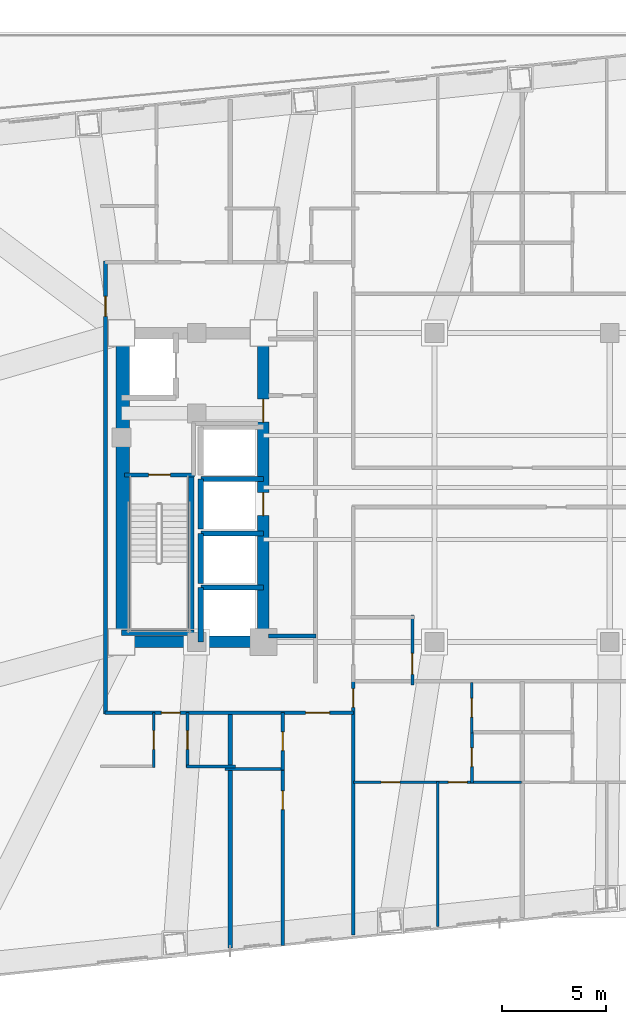
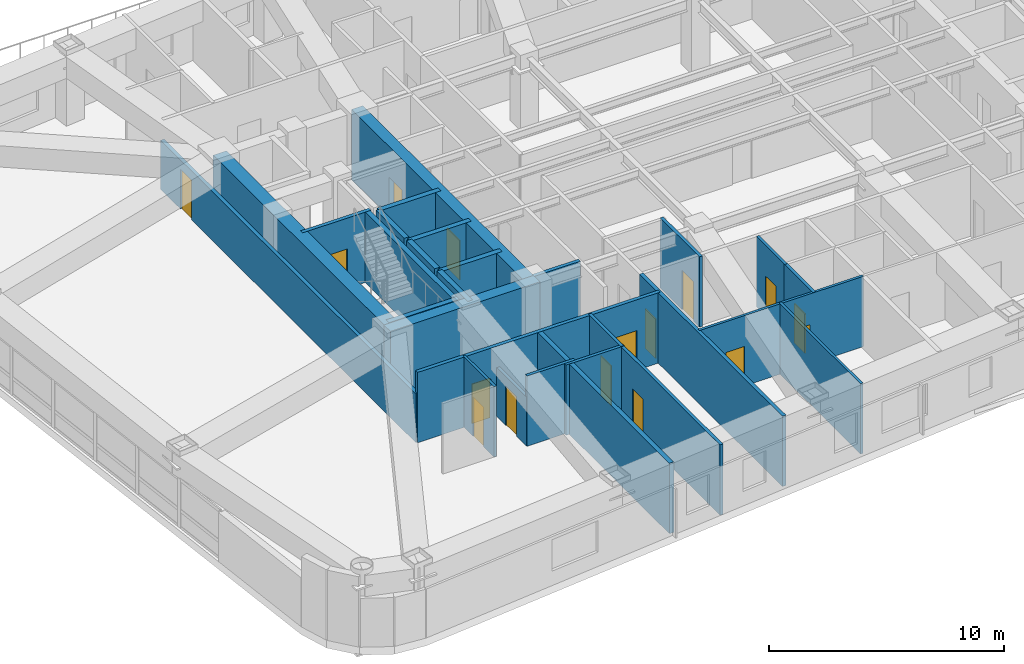
# One storey, part 7 of 15: 28 walls, 16 doors, 16 openings.
"""IFC4 building model written with IfcOpenShell, lengths in metres."""

from ifc_helpers import new_model, si_unit, direction, frame, frame_2d, origin, place, context, subcontext, project, spatial, rectangle, extrude, material, layer, layer_set, type_object, element, fill, save


model = new_model("IFC4")

# Units and contexts
model_context = context("Model", 3, precision=1e-05, world=origin(), true_north=direction((0.0, 1.0)))
body_context = subcontext(model_context, "Body", "Model", "MODEL_VIEW")
ifc_project = project(units=[si_unit("LENGTHUNIT", "METRE"), si_unit("AREAUNIT", "SQUARE_METRE"), si_unit("VOLUMEUNIT", "CUBIC_METRE"), si_unit("PLANEANGLEUNIT", "RADIAN"), si_unit("MASSUNIT", "GRAM", prefix="KILO")], contexts=[model_context])

# Site, building, storey
site_placement = place(None, origin())
site = spatial("IfcSite", under=ifc_project, at=site_placement, CompositionType="ELEMENT")
building_placement = place(site_placement, origin())
building = spatial("IfcBuilding", under=site, at=building_placement, Name="Voryun Gate Residences", CompositionType="ELEMENT")
storey_placement = place(building_placement, frame((0.0, 0.0, 140.39990234375)))
storey = spatial("IfcBuildingStorey", under=building, at=storey_placement, Name="L34", CompositionType="ELEMENT", Elevation=140.39990234375)

# Wall
ifc_material_1 = material(Name="Concrete C60/75", Category="concrete")
ifc_layer_1 = layer(ifc_material_1, 0.550048828125, Name="CW_CORE_550")
ifc_layer_set_1 = layer_set([ifc_layer_1], Name="Concrete C60/75")
wall_type_1 = type_object("IfcWallType", Name="CW_CORE_550", PredefinedType="SHEAR", material=ifc_layer_set_1)
wall_1_placement = place(storey_placement, frame((-19.47509765625, -7.39990234375, 0.0), z_axis=(0.0, 0.0, 1.0), x_axis=(1.0, 0.0, 0.0)))
element("IfcWall", 1, at=wall_1_placement, inside=storey, type_object=wall_type_1, Name="L34 Core shear wall CW-L34-WS", PredefinedType="SHEAR", context=body_context, shape_type="SweptSolid", body=[
    extrude(rectangle(XDim=7.35009765625, YDim=0.550048828125, at=frame_2d((3.675048828125, 0.0))), origin(), (0.0, 0.0, 1.0), 3.650146484375),
])

# Wall, openings, doors
wall_2_placement = place(storey_placement, frame((-12.39990234375, -7.39990234375, 0.0), z_axis=(0.0, 0.0, 1.0), x_axis=(0.0, 1.0, 0.0)))
wall_2 = element("IfcWall", 2, at=wall_2_placement, inside=storey, type_object=wall_type_1, Name="L34 Core shear wall CW-L34-WE", PredefinedType="SHEAR", context=body_context, shape_type="SweptSolid", body=[
    extrude(rectangle(XDim=14.7998046875, YDim=0.550048828125, at=frame_2d((7.39990234375, 0.0))), origin(), (0.0, 0.0, 1.0), 3.650146484375),
])
opening_1_placement = place(wall_2_placement, frame((6.050048828125, 0.0, 0.0)))
opening_1 = element("IfcOpeningElement", 3, at=opening_1_placement, cuts=wall_2, Name="Opening LD2", PredefinedType="OPENING", context=body_context, shape_type="SweptSolid", body=[
    extrude(rectangle(XDim=1.10009765625, YDim=2.050048828125, at=frame_2d((0.550048828125, 1.02490234375))), frame((0.0, 0.284912109375, 0.0), z_axis=(0.0, -1.0, 0.0), x_axis=(1.0, 0.0, 0.0)), (0.0, 0.0, 1.0), 0.570068359375),
])
opening_2_placement = place(wall_2_placement, frame((10.530029296875, 0.0, 0.0)))
opening_2 = element("IfcOpeningElement", 4, at=opening_2_placement, cuts=wall_2, Name="Opening D-FD60-2", PredefinedType="OPENING", context=body_context, shape_type="SweptSolid", body=[
    extrude(rectangle(XDim=1.10009765625, YDim=2.050048828125, at=frame_2d((0.550048828125, 1.02490234375))), frame((0.0, 0.284912109375, 0.0), z_axis=(0.0, -1.0, 0.0), x_axis=(1.0, 0.0, 0.0)), (0.0, 0.0, 1.0), 0.570068359375),
])
ifc_material_2 = material(Name="Painted steel fire door", Category="steel")
door_type_1 = type_object("IfcDoorType", Name="DR_FD60_FFLOB_1100", OperationType="NOTDEFINED", PredefinedType="DOOR", material=ifc_material_2)
door_1_placement = place(opening_2_placement, origin())
door_1 = element("IfcDoor", 5, at=door_1_placement, inside=storey, type_object=door_type_1, Name="Door DR-L34-CLOB-W", OperationType="SINGLE_SWING_LEFT", OverallHeight=2.050048828125, OverallWidth=1.10009765625, PredefinedType="DOOR", context=body_context, shape_type="SweptSolid", body=[
    extrude(rectangle(XDim=1.10009765625, YDim=2.050048828125, at=frame_2d((0.550048828125, 1.02490234375))), frame((0.0, 0.02490234375, 0.0), z_axis=(0.0, -1.0, 0.0), x_axis=(1.0, 0.0, 0.0)), (0.0, 0.0, 1.0), 0.050048828125),
])
fill(opening_2, door_1)
ifc_material_3 = material(Name="Anodised aluminium", Category="aluminium")
door_type_2 = type_object("IfcDoorType", Name="DR_LD_PASS_1100", OperationType="NOTDEFINED", PredefinedType="DOOR", material=ifc_material_3)
door_2_placement = place(opening_1_placement, origin())
door_2 = element("IfcDoor", 6, at=door_2_placement, inside=storey, type_object=door_type_2, Name="Lift EL-P4 sliding landing door L34", OperationType="SLIDING_TO_LEFT", OverallHeight=2.050048828125, OverallWidth=1.10009765625, PredefinedType="DOOR", context=body_context, shape_type="SweptSolid", body=[
    extrude(rectangle(XDim=1.10009765625, YDim=2.050048828125, at=frame_2d((0.550048828125, 1.02490234375))), frame((0.0, 0.02490234375, 0.0), z_axis=(0.0, -1.0, 0.0), x_axis=(1.0, 0.0, 0.0)), (0.0, 0.0, 1.0), 0.050048828125),
])
fill(opening_1, door_2)

# Wall
ifc_material_4 = material(Name="Concrete C60/75", Category="concrete")
ifc_layer_2 = layer(ifc_material_4, 0.64990234375, Name="CW_CORE_650")
ifc_layer_set_2 = layer_set([ifc_layer_2], Name="Concrete C60/75")
wall_type_2 = type_object("IfcWallType", Name="CW_CORE_650", PredefinedType="SHEAR", material=ifc_layer_set_2)
wall_3_placement = place(storey_placement, frame((-19.14501953125, -7.39990234375, 0.0), z_axis=(0.0, 0.0, 1.0), x_axis=(0.0, 1.0, 0.0)))
element("IfcWall", 7, at=wall_3_placement, inside=storey, type_object=wall_type_2, Name="L34 Core shear wall CW-L34-WW", PredefinedType="SHEAR", context=body_context, shape_type="SweptSolid", body=[
    extrude(rectangle(XDim=14.7998046875, YDim=0.64990234375, at=frame_2d((7.39990234375, 0.0))), origin(), (0.0, 0.0, 1.0), 3.650146484375),
])

# Wall, opening, door
ifc_material_5 = material(Name="Gypsum acoustic fireboard")
ifc_layer_3 = layer(ifc_material_5, 0.179931640625, Name="W_CORR_RATED_180")
ifc_layer_set_3 = layer_set([ifc_layer_3], Name="Gypsum acoustic fireboard")
wall_type_3 = type_object("IfcWallType", Name="W_CORR_RATED_180", PredefinedType="PARTITIONING", material=ifc_layer_set_3)
wall_4_placement = place(storey_placement, frame((-19.06005859375, 0.60009765625, 0.0), z_axis=(0.0, 0.0, 1.0), x_axis=(1.0, 0.0, 0.0)))
wall_4 = element("IfcWall", 8, at=wall_4_placement, inside=storey, type_object=wall_type_3, Name="Partition wall WP-L34-STV-W", PredefinedType="PARTITIONING", context=body_context, shape_type="SweptSolid", body=[
    extrude(rectangle(XDim=3.360107421875, YDim=0.179931640625, at=frame_2d((1.68017578125, 0.0))), origin(), (0.0, 0.0, 1.0), 3.650146484375),
])
opening_3_placement = place(wall_4_placement, frame((1.155029296875, 0.0, 0.0)))
opening_3 = element("IfcOpeningElement", 9, at=opening_3_placement, cuts=wall_4, Name="Opening D-FD60-1", PredefinedType="OPENING", context=body_context, shape_type="SweptSolid", body=[
    extrude(rectangle(XDim=1.050048828125, YDim=2.050048828125, at=frame_2d((0.52490234375, 1.02490234375))), frame((0.0, 0.099853515625, 0.0), z_axis=(0.0, -1.0, 0.0), x_axis=(1.0, 0.0, 0.0)), (0.0, 0.0, 1.0), 0.199951171875),
])
ifc_material_6 = material(Name="Painted steel fire door", Category="steel")
door_type_3 = type_object("IfcDoorType", Name="DR_FD60_STAIR_1050", OperationType="NOTDEFINED", PredefinedType="DOOR", material=ifc_material_6)
door_3_placement = place(opening_3_placement, origin())
door_3 = element("IfcDoor", 10, at=door_3_placement, inside=storey, type_object=door_type_3, Name="Door DR-L34-ST-W", OperationType="SINGLE_SWING_LEFT", OverallHeight=2.050048828125, OverallWidth=1.050048828125, PredefinedType="DOOR", context=body_context, shape_type="SweptSolid", body=[
    extrude(rectangle(XDim=1.050048828125, YDim=2.050048828125, at=frame_2d((0.52490234375, 1.02490234375))), frame((0.0, 0.02490234375, 0.0), z_axis=(0.0, -1.0, 0.0), x_axis=(1.0, 0.0, 0.0)), (0.0, 0.0, 1.0), 0.050048828125),
])
fill(opening_3, door_3)

# Wall
wall_5_placement = place(storey_placement, frame((-12.14990234375, -7.1201171875, 0.0), z_axis=(0.0, 0.0, 1.0), x_axis=(1.0, 0.0, 0.0)))
element("IfcWall", 11, at=wall_5_placement, inside=storey, type_object=wall_type_3, Name="Partition wall WP-L34-PLBS-W", PredefinedType="PARTITIONING", context=body_context, shape_type="SweptSolid", body=[
    extrude(rectangle(XDim=2.27001953125, YDim=0.179931640625, at=frame_2d((1.135009765625, 0.0))), origin(), (0.0, 0.0, 1.0), 3.650146484375),
])

# Wall, openings, doors
wall_6_placement = place(storey_placement, frame((-20.0, -10.800048828125, 0.0), z_axis=(0.0, 0.0, 1.0), x_axis=(1.0, 0.0, 0.0)))
wall_6 = element("IfcWall", 12, at=wall_6_placement, inside=storey, type_object=wall_type_3, Name="Partition wall WP-L34-SCORR-W", PredefinedType="PARTITIONING", context=body_context, shape_type="SweptSolid", body=[
    extrude(rectangle(XDim=11.919921875, YDim=0.179931640625, at=frame_2d((5.9599609375, 0.0))), origin(), (0.0, 0.0, 1.0), 3.650146484375),
])
opening_4_placement = place(wall_6_placement, frame((2.705078125, 0.0, 0.0)))
opening_4 = element("IfcOpeningElement", 13, at=opening_4_placement, cuts=wall_6, Name="Opening D-INT-2", PredefinedType="OPENING", context=body_context, shape_type="SweptSolid", body=[
    extrude(rectangle(XDim=0.89990234375, YDim=2.050048828125, at=frame_2d((0.449951171875, 1.02490234375))), frame((0.0, 0.099853515625, 0.0), z_axis=(0.0, -1.0, 0.0), x_axis=(1.0, 0.0, 0.0)), (0.0, 0.0, 1.0), 0.199951171875),
])
opening_5_placement = place(wall_6_placement, frame((9.617919921875, 0.0, 0.0)))
opening_5 = element("IfcOpeningElement", 14, at=opening_5_placement, cuts=wall_6, Name="Opening D-UNIT-1", PredefinedType="OPENING", context=body_context, shape_type="SweptSolid", body=[
    extrude(rectangle(XDim=1.14990234375, YDim=2.050048828125, at=frame_2d((0.574951171875, 1.02490234375))), frame((0.0, 0.099853515625, 0.0), z_axis=(0.0, -1.0, 0.0), x_axis=(1.0, 0.0, 0.0)), (0.0, 0.0, 1.0), 0.199951171875),
])
ifc_material_7 = material(Name="Architectural oak veneer")
door_type_4 = type_object("IfcDoorType", Name="DR_INT_BATH_900", OperationType="NOTDEFINED", PredefinedType="DOOR", material=ifc_material_7)
door_4_placement = place(opening_4_placement, origin())
door_4 = element("IfcDoor", 15, at=door_4_placement, inside=storey, type_object=door_type_4, Name="Door DR-L34-SENT-1", OperationType="SINGLE_SWING_RIGHT", OverallHeight=2.050048828125, OverallWidth=0.89990234375, PredefinedType="DOOR", context=body_context, shape_type="SweptSolid", body=[
    extrude(rectangle(XDim=0.89990234375, YDim=2.050048828125, at=frame_2d((0.449951171875, 1.02490234375))), frame((0.0, 0.02490234375, 0.0), z_axis=(0.0, -1.0, 0.0), x_axis=(1.0, 0.0, 0.0)), (0.0, 0.0, 1.0), 0.050048828125),
])
fill(opening_4, door_4)
ifc_material_8 = material(Name="Armoured timber-clad fire door", Category="wood")
door_type_5 = type_object("IfcDoorType", Name="DR_UNIT_ENTRY_1150", OperationType="NOTDEFINED", PredefinedType="DOOR", material=ifc_material_8)
door_5_placement = place(opening_5_placement, origin())
door_5 = element("IfcDoor", 16, at=door_5_placement, inside=storey, type_object=door_type_5, Name="Door DR-L34-SENT-2", OperationType="SINGLE_SWING_LEFT", OverallHeight=2.050048828125, OverallWidth=1.14990234375, PredefinedType="DOOR", context=body_context, shape_type="SweptSolid", body=[
    extrude(rectangle(XDim=1.14990234375, YDim=2.050048828125, at=frame_2d((0.574951171875, 1.02490234375))), frame((0.0, 0.02490234375, 0.0), z_axis=(0.0, -1.0, 0.0), x_axis=(1.0, 0.0, 0.0)), (0.0, 0.0, 1.0), 0.050048828125),
])
fill(opening_5, door_5)

# Wall, opening, door
wall_7_placement = place(storey_placement, frame((-8.10009765625, -21.456298828125, 0.0), z_axis=(0.0, 0.0, 1.0), x_axis=(0.0, 1.0, 0.0)))
wall_7 = element("IfcWall", 17, at=wall_7_placement, inside=storey, type_object=wall_type_3, Name="Partition wall WP-L34-SZV-1", PredefinedType="PARTITIONING", context=body_context, shape_type="SweptSolid", body=[
    extrude(rectangle(XDim=12.166259765625, YDim=0.179931640625, at=frame_2d((6.0830078125, 0.0))), origin(), (0.0, 0.0, 1.0), 3.650146484375),
])
opening_6_placement = place(wall_7_placement, frame((10.916015625, 0.0, 0.0)))
opening_6 = element("IfcOpeningElement", 18, at=opening_6_placement, cuts=wall_7, Name="Opening D-INT-2", PredefinedType="OPENING", context=body_context, shape_type="SweptSolid", body=[
    extrude(rectangle(XDim=0.89990234375, YDim=2.050048828125, at=frame_2d((0.449951171875, 1.02490234375))), frame((0.0, 0.099853515625, 0.0), z_axis=(0.0, -1.0, 0.0), x_axis=(1.0, 0.0, 0.0)), (0.0, 0.0, 1.0), 0.199951171875),
])
door_6_placement = place(opening_6_placement, origin())
door_6 = element("IfcDoor", 19, at=door_6_placement, inside=storey, type_object=door_type_4, Name="Door DR-L34-SZENT-1", OperationType="SINGLE_SWING_LEFT", OverallHeight=2.050048828125, OverallWidth=0.89990234375, PredefinedType="DOOR", context=body_context, shape_type="SweptSolid", body=[
    extrude(rectangle(XDim=0.89990234375, YDim=2.050048828125, at=frame_2d((0.449951171875, 1.02490234375))), frame((0.0, 0.02490234375, 0.0), z_axis=(0.0, -1.0, 0.0), x_axis=(1.0, 0.0, 0.0)), (0.0, 0.0, 1.0), 0.050048828125),
])
fill(opening_6, door_6)

wall_8_placement = place(storey_placement, frame((-19.969970703125, -10.85009765625, 0.0), z_axis=(0.0, 0.0, 1.0), x_axis=(0.0, 1.0, 0.0)))
wall_8 = element("IfcWall", 20, at=wall_8_placement, inside=storey, type_object=wall_type_3, Name="Partition wall WP-L34-WSG", PredefinedType="PARTITIONING", context=body_context, shape_type="SweptSolid", body=[
    extrude(rectangle(XDim=21.7001953125, YDim=0.179931640625, at=frame_2d((10.85009765625, 0.0))), origin(), (0.0, 0.0, 1.0), 2.5400390625),
])
opening_7_placement = place(wall_8_placement, frame((19.054931640625, 0.0, 0.0)))
opening_7 = element("IfcOpeningElement", 21, at=opening_7_placement, cuts=wall_8, Name="Opening D-INT-1", PredefinedType="OPENING", context=body_context, shape_type="SweptSolid", body=[
    extrude(rectangle(XDim=0.949951171875, YDim=2.050048828125, at=frame_2d((0.47509765625, 1.02490234375))), frame((0.0, 0.099853515625, 0.0), z_axis=(0.0, -1.0, 0.0), x_axis=(1.0, 0.0, 0.0)), (0.0, 0.0, 1.0), 0.199951171875),
])
ifc_material_9 = material(Name="Architectural oak veneer")
door_type_6 = type_object("IfcDoorType", Name="DR_INT_ROOM_950", OperationType="NOTDEFINED", PredefinedType="DOOR", material=ifc_material_9)
door_7_placement = place(opening_7_placement, origin())
door_7 = element("IfcDoor", 22, at=door_7_placement, inside=storey, type_object=door_type_6, Name="Door DR-L34-WSG", OperationType="SINGLE_SWING_LEFT", OverallHeight=2.050048828125, OverallWidth=0.949951171875, PredefinedType="DOOR", context=body_context, shape_type="SweptSolid", body=[
    extrude(rectangle(XDim=0.949951171875, YDim=2.050048828125, at=frame_2d((0.47509765625, 1.02490234375))), frame((0.0, 0.02490234375, 0.0), z_axis=(0.0, -1.0, 0.0), x_axis=(1.0, 0.0, 0.0)), (0.0, 0.0, 1.0), 0.050048828125),
])
fill(opening_7, door_7)

# Walls
ifc_material_10 = material(Name="Concrete C40/50", Category="concrete")
ifc_layer_4 = layer(ifc_material_10, 0.219970703125, Name="W_PARTY_ACOUSTIC_220")
ifc_layer_set_4 = layer_set([ifc_layer_4], Name="Concrete C40/50")
wall_type_4 = type_object("IfcWallType", Name="W_PARTY_ACOUSTIC_220", PredefinedType="PARTITIONING", material=ifc_layer_set_4)
wall_9_placement = place(storey_placement, frame((-13.989990234375, -22.075439453125, 0.0), z_axis=(0.0, 0.0, 1.0), x_axis=(0.0, 1.0, 0.0)))
element("IfcWall", 23, at=wall_9_placement, inside=storey, type_object=wall_type_4, Name="Partition wall WP-L34-SPTY-1", PredefinedType="PARTITIONING", context=body_context, shape_type="SweptSolid", body=[
    extrude(rectangle(XDim=11.35546875, YDim=0.219970703125, at=frame_2d((5.677734375, 0.0))), origin(), (0.0, 0.0, 1.0), 3.650146484375),
])
ifc_material_11 = material(Name="Concrete C50/60", Category="concrete")
ifc_layer_5 = layer(ifc_material_11, 0.25, Name="W_SHAFT_RC250")
ifc_layer_set_5 = layer_set([ifc_layer_5], Name="Concrete C50/60")
wall_type_5 = type_object("IfcWallType", Name="W_SHAFT_RC250", PredefinedType="SOLIDWALL", material=ifc_layer_set_5)
wall_10_placement = place(storey_placement, frame((-15.860107421875, -7.0849609375, 0.0), z_axis=(0.0, 0.0, 1.0), x_axis=(0.0, 1.0, 0.0)))
element("IfcWall", 24, at=wall_10_placement, inside=storey, type_object=wall_type_5, Name="L34 Stair shaft structural wall W-STR", PredefinedType="SOLIDWALL", context=body_context, shape_type="SweptSolid", body=[
    extrude(rectangle(XDim=7.68505859375, YDim=0.25, at=frame_2d((3.842529296875, 0.0))), origin(), (0.0, 0.0, 1.0), 3.650146484375),
])
wall_11_placement = place(storey_placement, frame((-19.199951171875, -6.965087890625, 0.0), z_axis=(0.0, 0.0, 1.0), x_axis=(1.0, 0.0, 0.0)))
element("IfcWall", 25, at=wall_11_placement, inside=storey, type_object=wall_type_5, Name="L34 Stair shaft structural wall W-STS", PredefinedType="SOLIDWALL", context=body_context, shape_type="SweptSolid", body=[
    extrude(rectangle(XDim=3.4599609375, YDim=0.25, at=frame_2d((1.72998046875, 0.0))), origin(), (0.0, 0.0, 1.0), 3.650146484375),
])
wall_12_placement = place(storey_placement, frame((-12.39990234375, -4.800048828125, 0.0), z_axis=(0.0, 0.0, 1.0), x_axis=(-1.0, 0.0, 0.0)))
element("IfcWall", 26, at=wall_12_placement, inside=storey, type_object=wall_type_5, Name="Lift shaft wall WSH-L34-EL-P1-N", PredefinedType="SOLIDWALL", context=body_context, shape_type="SweptSolid", body=[
    extrude(rectangle(XDim=3.0, YDim=0.25, at=frame_2d((1.5, 0.0))), origin(), (0.0, 0.0, 1.0), 3.650146484375),
])
wall_13_placement = place(storey_placement, frame((-15.39990234375, -4.800048828125, 0.0), z_axis=(0.0, 0.0, 1.0), x_axis=(0.0, -1.0, 0.0)))
element("IfcWall", 27, at=wall_13_placement, inside=storey, type_object=wall_type_5, Name="Lift shaft wall WSH-L34-EL-P1-W", PredefinedType="SOLIDWALL", context=body_context, shape_type="SweptSolid", body=[
    extrude(rectangle(XDim=2.599853515625, YDim=0.25, at=frame_2d((1.2998046875, 0.0))), origin(), (0.0, 0.0, 1.0), 3.650146484375),
])
wall_14_placement = place(storey_placement, frame((-12.39990234375, -2.199951171875, 0.0), z_axis=(0.0, 0.0, 1.0), x_axis=(-1.0, 0.0, 0.0)))
element("IfcWall", 28, at=wall_14_placement, inside=storey, type_object=wall_type_5, Name="Lift shaft wall WSH-L34-EL-P2-N", PredefinedType="SOLIDWALL", context=body_context, shape_type="SweptSolid", body=[
    extrude(rectangle(XDim=3.0, YDim=0.25, at=frame_2d((1.5, 0.0))), origin(), (0.0, 0.0, 1.0), 3.650146484375),
])
wall_15_placement = place(storey_placement, frame((-15.39990234375, -2.199951171875, 0.0), z_axis=(0.0, 0.0, 1.0), x_axis=(0.0, -1.0, 0.0)))
element("IfcWall", 29, at=wall_15_placement, inside=storey, type_object=wall_type_5, Name="Lift shaft wall WSH-L34-EL-P2-W", PredefinedType="SOLIDWALL", context=body_context, shape_type="SweptSolid", body=[
    extrude(rectangle(XDim=2.400146484375, YDim=0.25, at=frame_2d((1.2001953125, 0.0))), origin(), (0.0, 0.0, 1.0), 3.650146484375),
])
wall_16_placement = place(storey_placement, frame((-12.39990234375, 0.39990234375, 0.0), z_axis=(0.0, 0.0, 1.0), x_axis=(-1.0, 0.0, 0.0)))
element("IfcWall", 30, at=wall_16_placement, inside=storey, type_object=wall_type_5, Name="Lift shaft wall WSH-L34-EL-P4-N", PredefinedType="SOLIDWALL", context=body_context, shape_type="SweptSolid", body=[
    extrude(rectangle(XDim=3.0, YDim=0.25, at=frame_2d((1.5, 0.0))), origin(), (0.0, 0.0, 1.0), 3.650146484375),
])
wall_17_placement = place(storey_placement, frame((-15.39990234375, 0.39990234375, 0.0), z_axis=(0.0, 0.0, 1.0), x_axis=(0.0, -1.0, 0.0)))
element("IfcWall", 31, at=wall_17_placement, inside=storey, type_object=wall_type_5, Name="Lift shaft wall WSH-L34-EL-P4-W", PredefinedType="SOLIDWALL", context=body_context, shape_type="SweptSolid", body=[
    extrude(rectangle(XDim=2.39990234375, YDim=0.25, at=frame_2d((1.199951171875, 0.0))), origin(), (0.0, 0.0, 1.0), 3.650146484375),
])

# Wall, opening, door
ifc_material_12 = material(Name="Gypsum acoustic partition")
ifc_layer_6 = layer(ifc_material_12, 0.125, Name="W_UNIT_PART_125")
ifc_layer_set_6 = layer_set([ifc_layer_6], Name="Gypsum acoustic partition")
wall_type_6 = type_object("IfcWallType", Name="W_UNIT_PART_125", PredefinedType="PARTITIONING", material=ifc_layer_set_6)
wall_18_placement = place(storey_placement, frame((-17.64990234375, -13.429931640625, 0.0), z_axis=(0.0, 0.0, 1.0), x_axis=(0.0, 1.0, 0.0)))
wall_18 = element("IfcWall", 32, at=wall_18_placement, inside=storey, type_object=wall_type_6, Name="Partition wall WP-L34-S1-CVK", PredefinedType="PARTITIONING", context=body_context, shape_type="SweptSolid", body=[
    extrude(rectangle(XDim=2.64990234375, YDim=0.125, at=frame_2d((1.324951171875, 0.0))), origin(), (0.0, 0.0, 1.0), 3.650146484375),
])
opening_8_placement = place(wall_18_placement, frame((0.875, 0.0, 0.0)))
opening_8 = element("IfcOpeningElement", 33, at=opening_8_placement, cuts=wall_18, Name="Opening D-INT-2", PredefinedType="OPENING", context=body_context, shape_type="SweptSolid", body=[
    extrude(rectangle(XDim=0.89990234375, YDim=2.050048828125, at=frame_2d((0.449951171875, 1.02490234375))), frame((0.0, 0.072509765625, 0.0), z_axis=(0.0, -1.0, 0.0), x_axis=(1.0, 0.0, 0.0)), (0.0, 0.0, 1.0), 0.14501953125),
])
door_8_placement = place(opening_8_placement, origin())
door_8 = element("IfcDoor", 34, at=door_8_placement, inside=storey, type_object=door_type_4, Name="Door DR-L34-S1-DK", OperationType="SINGLE_SWING_LEFT", OverallHeight=2.050048828125, OverallWidth=0.89990234375, PredefinedType="DOOR", context=body_context, shape_type="SweptSolid", body=[
    extrude(rectangle(XDim=0.89990234375, YDim=2.050048828125, at=frame_2d((0.449951171875, 1.02490234375))), frame((0.0, 0.02490234375, 0.0), z_axis=(0.0, -1.0, 0.0), x_axis=(1.0, 0.0, 0.0)), (0.0, 0.0, 1.0), 0.050048828125),
])
fill(opening_8, door_8)

# Wall, openings, doors
wall_19_placement = place(storey_placement, frame((-8.080078125, -14.1298828125, 0.0), z_axis=(0.0, 0.0, 1.0), x_axis=(1.0, 0.0, 0.0)))
wall_19 = element("IfcWall", 35, at=wall_19_placement, inside=storey, type_object=wall_type_6, Name="Partition wall WP-L34-SC1-HZ", PredefinedType="PARTITIONING", context=body_context, shape_type="SweptSolid", body=[
    extrude(rectangle(XDim=8.06005859375, YDim=0.125, at=frame_2d((4.030029296875, 0.0))), origin(), (0.0, 0.0, 1.0), 3.650146484375),
])
opening_9_placement = place(wall_19_placement, frame((1.3232421875, 0.0, 0.0)))
opening_9 = element("IfcOpeningElement", 36, at=opening_9_placement, cuts=wall_19, Name="Opening D-INT-2", PredefinedType="OPENING", context=body_context, shape_type="SweptSolid", body=[
    extrude(rectangle(XDim=0.89990234375, YDim=2.050048828125, at=frame_2d((0.449951171875, 1.02490234375))), frame((0.0, 0.072509765625, 0.0), z_axis=(0.0, -1.0, 0.0), x_axis=(1.0, 0.0, 0.0)), (0.0, 0.0, 1.0), 0.14501953125),
])
opening_10_placement = place(wall_19_placement, frame((4.547119140625, 0.0, 0.0)))
opening_10 = element("IfcOpeningElement", 37, at=opening_10_placement, cuts=wall_19, Name="Opening D-INT-2", PredefinedType="OPENING", context=body_context, shape_type="SweptSolid", body=[
    extrude(rectangle(XDim=0.89990234375, YDim=2.050048828125, at=frame_2d((0.449951171875, 1.02490234375))), frame((0.0, 0.072509765625, 0.0), z_axis=(0.0, -1.0, 0.0), x_axis=(1.0, 0.0, 0.0)), (0.0, 0.0, 1.0), 0.14501953125),
])
door_9_placement = place(opening_9_placement, origin())
door_9 = element("IfcDoor", 38, at=door_9_placement, inside=storey, type_object=door_type_4, Name="Door DR-L34-SC1-DMB", OperationType="SINGLE_SWING_LEFT", OverallHeight=2.050048828125, OverallWidth=0.89990234375, PredefinedType="DOOR", context=body_context, shape_type="SweptSolid", body=[
    extrude(rectangle(XDim=0.89990234375, YDim=2.050048828125, at=frame_2d((0.449951171875, 1.02490234375))), frame((0.0, 0.02490234375, 0.0), z_axis=(0.0, -1.0, 0.0), x_axis=(1.0, 0.0, 0.0)), (0.0, 0.0, 1.0), 0.050048828125),
])
fill(opening_9, door_9)
door_10_placement = place(opening_10_placement, origin())
door_10 = element("IfcDoor", 39, at=door_10_placement, inside=storey, type_object=door_type_4, Name="Door DR-L34-SC1-DBD2", OperationType="SINGLE_SWING_RIGHT", OverallHeight=2.050048828125, OverallWidth=0.89990234375, PredefinedType="DOOR", context=body_context, shape_type="SweptSolid", body=[
    extrude(rectangle(XDim=0.89990234375, YDim=2.050048828125, at=frame_2d((0.449951171875, 1.02490234375))), frame((0.0, 0.02490234375, 0.0), z_axis=(0.0, -1.0, 0.0), x_axis=(1.0, 0.0, 0.0)), (0.0, 0.0, 1.0), 0.050048828125),
])
fill(opening_10, door_10)

# Wall, opening, door
wall_20_placement = place(storey_placement, frame((-2.409912109375, -11.760009765625, 0.0), z_axis=(0.0, 0.0, 1.0), x_axis=(0.0, 1.0, 0.0)))
wall_20 = element("IfcWall", 40, at=wall_20_placement, inside=storey, type_object=wall_type_6, Name="Partition wall WP-L34-SC1-VK1", PredefinedType="PARTITIONING", context=body_context, shape_type="SweptSolid", body=[
    extrude(rectangle(XDim=2.409912109375, YDim=0.125, at=frame_2d((1.205078125, 0.0))), origin(), (0.0, 0.0, 1.0), 3.650146484375),
])
opening_11_placement = place(wall_20_placement, frame((0.7548828125, 0.0, 0.0)))
opening_11 = element("IfcOpeningElement", 41, at=opening_11_placement, cuts=wall_20, Name="Opening D-INT-2", PredefinedType="OPENING", context=body_context, shape_type="SweptSolid", body=[
    extrude(rectangle(XDim=0.89990234375, YDim=2.050048828125, at=frame_2d((0.449951171875, 1.02490234375))), frame((0.0, 0.072509765625, 0.0), z_axis=(0.0, -1.0, 0.0), x_axis=(1.0, 0.0, 0.0)), (0.0, 0.0, 1.0), 0.14501953125),
])
door_11_placement = place(opening_11_placement, origin())
door_11 = element("IfcDoor", 42, at=door_11_placement, inside=storey, type_object=door_type_4, Name="Door DR-L34-SC1-DK", OperationType="SINGLE_SWING_LEFT", OverallHeight=2.050048828125, OverallWidth=0.89990234375, PredefinedType="DOOR", context=body_context, shape_type="SweptSolid", body=[
    extrude(rectangle(XDim=0.89990234375, YDim=2.050048828125, at=frame_2d((0.449951171875, 1.02490234375))), frame((0.0, 0.02490234375, 0.0), z_axis=(0.0, -1.0, 0.0), x_axis=(1.0, 0.0, 0.0)), (0.0, 0.0, 1.0), 0.050048828125),
])
fill(opening_11, door_11)

# Wall
wall_21_placement = place(storey_placement, frame((-4.050048828125, -21.03076171875, 0.0), z_axis=(0.0, 0.0, 1.0), x_axis=(0.0, 1.0, 0.0)))
element("IfcWall", 43, at=wall_21_placement, inside=storey, type_object=wall_type_6, Name="Partition wall WP-L34-SC1-VBD", PredefinedType="PARTITIONING", context=body_context, shape_type="SweptSolid", body=[
    extrude(rectangle(XDim=6.940673828125, YDim=0.125, at=frame_2d((3.47021484375, 0.0))), origin(), (0.0, 0.0, 1.0), 3.650146484375),
])

# Wall, opening, door
ifc_material_13 = material(Name="Gypsum moisture-resistant partition")
ifc_layer_7 = layer(ifc_material_13, 0.14990234375, Name="W_WET_PLUMB_150")
ifc_layer_set_7 = layer_set([ifc_layer_7], Name="Gypsum moisture-resistant partition")
wall_type_7 = type_object("IfcWallType", Name="W_WET_PLUMB_150", PredefinedType="PLUMBINGWALL", material=ifc_layer_set_7)
wall_22_placement = place(storey_placement, frame((-5.260009765625, -9.469970703125, 0.0), z_axis=(0.0, 0.0, 1.0), x_axis=(0.0, 1.0, 0.0)))
wall_22 = element("IfcWall", 44, at=wall_22_placement, inside=storey, type_object=wall_type_7, Name="Partition wall WP-L34-CMWCX", PredefinedType="PLUMBINGWALL", context=body_context, shape_type="SweptSolid", body=[
    extrude(rectangle(XDim=3.349853515625, YDim=0.14990234375, at=frame_2d((1.6748046875, 0.0))), origin(), (0.0, 0.0, 1.0), 3.650146484375),
])
opening_12_placement = place(wall_22_placement, frame((0.514892578125, 0.0, 0.0)))
opening_12 = element("IfcOpeningElement", 45, at=opening_12_placement, cuts=wall_22, Name="Opening D-AWC-1", PredefinedType="OPENING", context=body_context, shape_type="SweptSolid", body=[
    extrude(rectangle(XDim=1.0, YDim=2.050048828125, at=frame_2d((0.5, 1.02490234375))), frame((0.0, 0.0849609375, 0.0), z_axis=(0.0, -1.0, 0.0), x_axis=(1.0, 0.0, 0.0)), (0.0, 0.0, 1.0), 0.169921875),
])
ifc_material_14 = material(Name="Architectural oak veneer")
door_type_7 = type_object("IfcDoorType", Name="DR_ACC_WC_1000", OperationType="NOTDEFINED", PredefinedType="DOOR", material=ifc_material_14)
door_12_placement = place(opening_12_placement, origin())
door_12 = element("IfcDoor", 46, at=door_12_placement, inside=storey, type_object=door_type_7, Name="Door DR-L34-CMWC", OperationType="SINGLE_SWING_LEFT", OverallHeight=2.050048828125, OverallWidth=1.0, PredefinedType="DOOR", context=body_context, shape_type="SweptSolid", body=[
    extrude(rectangle(XDim=1.0, YDim=2.050048828125, at=frame_2d((0.5, 1.02490234375))), frame((0.0, 0.02490234375, 0.0), z_axis=(0.0, -1.0, 0.0), x_axis=(1.0, 0.0, 0.0)), (0.0, 0.0, 1.0), 0.050048828125),
])
fill(opening_12, door_12)

wall_23_placement = place(storey_placement, frame((-16.0390625, -13.429931640625, 0.0), z_axis=(0.0, 0.0, 1.0), x_axis=(0.0, 1.0, 0.0)))
wall_23 = element("IfcWall", 47, at=wall_23_placement, inside=storey, type_object=wall_type_7, Name="Partition wall WP-L34-S1-CVB", PredefinedType="PLUMBINGWALL", context=body_context, shape_type="SweptSolid", body=[
    extrude(rectangle(XDim=2.64990234375, YDim=0.14990234375, at=frame_2d((1.324951171875, 0.0))), origin(), (0.0, 0.0, 1.0), 2.5400390625),
])
opening_13_placement = place(wall_23_placement, frame((0.875, 0.0, 0.0)))
opening_13 = element("IfcOpeningElement", 48, at=opening_13_placement, cuts=wall_23, Name="Opening D-INT-2", PredefinedType="OPENING", context=body_context, shape_type="SweptSolid", body=[
    extrude(rectangle(XDim=0.89990234375, YDim=2.050048828125, at=frame_2d((0.449951171875, 1.02490234375))), frame((0.0, 0.0849609375, 0.0), z_axis=(0.0, -1.0, 0.0), x_axis=(1.0, 0.0, 0.0)), (0.0, 0.0, 1.0), 0.169921875),
])
door_13_placement = place(opening_13_placement, origin())
door_13 = element("IfcDoor", 49, at=door_13_placement, inside=storey, type_object=door_type_4, Name="Door DR-L34-S1-DB", OperationType="SINGLE_SWING_RIGHT", OverallHeight=2.050048828125, OverallWidth=0.89990234375, PredefinedType="DOOR", context=body_context, shape_type="SweptSolid", body=[
    extrude(rectangle(XDim=0.89990234375, YDim=2.050048828125, at=frame_2d((0.449951171875, 1.02490234375))), frame((0.0, 0.02490234375, 0.0), z_axis=(0.0, -1.0, 0.0), x_axis=(1.0, 0.0, 0.0)), (0.0, 0.0, 1.0), 0.050048828125),
])
fill(opening_13, door_13)

# Walls
wall_24_placement = place(storey_placement, frame((-16.09912109375, -13.3701171875, 0.0), z_axis=(0.0, 0.0, 1.0), x_axis=(1.0, 0.0, 0.0)))
element("IfcWall", 50, at=wall_24_placement, inside=storey, type_object=wall_type_7, Name="Partition wall WP-L34-S1-CHB", PredefinedType="PLUMBINGWALL", context=body_context, shape_type="SweptSolid", body=[
    extrude(rectangle(XDim=2.369140625, YDim=0.14990234375, at=frame_2d((1.1845703125, 0.0))), origin(), (0.0, 0.0, 1.0), 3.650146484375),
])
wall_25_placement = place(storey_placement, frame((-14.25, -13.5, 0.0), z_axis=(0.0, 0.0, 1.0), x_axis=(1.0, 0.0, 0.0)))
element("IfcWall", 51, at=wall_25_placement, inside=storey, type_object=wall_type_7, Name="Partition wall WP-L34-S2-SKB", PredefinedType="PLUMBINGWALL", context=body_context, shape_type="SweptSolid", body=[
    extrude(rectangle(XDim=2.85498046875, YDim=0.14990234375, at=frame_2d((1.427490234375, 0.0))), origin(), (0.0, 0.0, 1.0), 3.650146484375),
])

# Wall, opening, door
wall_26_placement = place(storey_placement, frame((-11.47509765625, -21.9619140625, 0.0), z_axis=(0.0, 0.0, 1.0), x_axis=(0.0, 1.0, 0.0)))
wall_26 = element("IfcWall", 52, at=wall_26_placement, inside=storey, type_object=wall_type_7, Name="Partition wall WP-L34-S2-SVT1", PredefinedType="PLUMBINGWALL", context=body_context, shape_type="SweptSolid", body=[
    extrude(rectangle(XDim=8.501953125, YDim=0.14990234375, at=frame_2d((4.2509765625, 0.0))), origin(), (0.0, 0.0, 1.0), 3.650146484375),
])
opening_14_placement = place(wall_26_placement, frame((6.521484375, 0.0, 0.0)))
opening_14 = element("IfcOpeningElement", 53, at=opening_14_placement, cuts=wall_26, Name="Opening D-INT-2", PredefinedType="OPENING", context=body_context, shape_type="SweptSolid", body=[
    extrude(rectangle(XDim=0.89990234375, YDim=2.050048828125, at=frame_2d((0.449951171875, 1.02490234375))), frame((0.0, 0.0849609375, 0.0), z_axis=(0.0, -1.0, 0.0), x_axis=(1.0, 0.0, 0.0)), (0.0, 0.0, 1.0), 0.169921875),
])
door_14_placement = place(opening_14_placement, origin())
door_14 = element("IfcDoor", 54, at=door_14_placement, inside=storey, type_object=door_type_4, Name="Door DR-L34-S2-DK", OperationType="SINGLE_SWING_LEFT", OverallHeight=2.050048828125, OverallWidth=0.89990234375, PredefinedType="DOOR", context=body_context, shape_type="SweptSolid", body=[
    extrude(rectangle(XDim=0.89990234375, YDim=2.050048828125, at=frame_2d((0.449951171875, 1.02490234375))), frame((0.0, 0.02490234375, 0.0), z_axis=(0.0, -1.0, 0.0), x_axis=(1.0, 0.0, 0.0)), (0.0, 0.0, 1.0), 0.050048828125),
])
fill(opening_14, door_14)

wall_27_placement = place(storey_placement, frame((-11.47509765625, -13.5400390625, 0.0), z_axis=(0.0, 0.0, 1.0), x_axis=(0.0, 1.0, 0.0)))
wall_27 = element("IfcWall", 55, at=wall_27_placement, inside=storey, type_object=wall_type_7, Name="Partition wall WP-L34-S2-SVT2", PredefinedType="PLUMBINGWALL", context=body_context, shape_type="SweptSolid", body=[
    extrude(rectangle(XDim=2.760009765625, YDim=0.14990234375, at=frame_2d((1.3798828125, 0.0))), origin(), (0.0, 0.0, 1.0), 3.650146484375),
])
opening_15_placement = place(wall_27_placement, frame((0.929931640625, 0.0, 0.0)))
opening_15 = element("IfcOpeningElement", 56, at=opening_15_placement, cuts=wall_27, Name="Opening D-INT-2", PredefinedType="OPENING", context=body_context, shape_type="SweptSolid", body=[
    extrude(rectangle(XDim=0.89990234375, YDim=2.050048828125, at=frame_2d((0.449951171875, 1.02490234375))), frame((0.0, 0.0849609375, 0.0), z_axis=(0.0, -1.0, 0.0), x_axis=(1.0, 0.0, 0.0)), (0.0, 0.0, 1.0), 0.169921875),
])
door_15_placement = place(opening_15_placement, origin())
door_15 = element("IfcDoor", 57, at=door_15_placement, inside=storey, type_object=door_type_4, Name="Door DR-L34-S2-DB", OperationType="SINGLE_SWING_RIGHT", OverallHeight=2.050048828125, OverallWidth=0.89990234375, PredefinedType="DOOR", context=body_context, shape_type="SweptSolid", body=[
    extrude(rectangle(XDim=0.89990234375, YDim=2.050048828125, at=frame_2d((0.449951171875, 1.02490234375))), frame((0.0, 0.02490234375, 0.0), z_axis=(0.0, -1.0, 0.0), x_axis=(1.0, 0.0, 0.0)), (0.0, 0.0, 1.0), 0.050048828125),
])
fill(opening_15, door_15)

wall_28_placement = place(storey_placement, frame((-2.409912109375, -14.169921875, 0.0), z_axis=(0.0, 0.0, 1.0), x_axis=(0.0, 1.0, 0.0)))
wall_28 = element("IfcWall", 58, at=wall_28_placement, inside=storey, type_object=wall_type_7, Name="Partition wall WP-L34-SC1-VK2", PredefinedType="PLUMBINGWALL", context=body_context, shape_type="SweptSolid", body=[
    extrude(rectangle(XDim=2.469970703125, YDim=0.14990234375, at=frame_2d((1.23486328125, 0.0))), origin(), (0.0, 0.0, 1.0), 3.650146484375),
])
opening_16_placement = place(wall_28_placement, frame((0.784912109375, 0.0, 0.0)))
opening_16 = element("IfcOpeningElement", 59, at=opening_16_placement, cuts=wall_28, Name="Opening D-INT-2", PredefinedType="OPENING", context=body_context, shape_type="SweptSolid", body=[
    extrude(rectangle(XDim=0.89990234375, YDim=2.050048828125, at=frame_2d((0.449951171875, 1.02490234375))), frame((0.0, 0.0849609375, 0.0), z_axis=(0.0, -1.0, 0.0), x_axis=(1.0, 0.0, 0.0)), (0.0, 0.0, 1.0), 0.169921875),
])
door_16_placement = place(opening_16_placement, origin())
door_16 = element("IfcDoor", 60, at=door_16_placement, inside=storey, type_object=door_type_4, Name="Door DR-L34-SC1-DB", OperationType="SINGLE_SWING_RIGHT", OverallHeight=2.050048828125, OverallWidth=0.89990234375, PredefinedType="DOOR", context=body_context, shape_type="SweptSolid", body=[
    extrude(rectangle(XDim=0.89990234375, YDim=2.050048828125, at=frame_2d((0.449951171875, 1.02490234375))), frame((0.0, 0.02490234375, 0.0), z_axis=(0.0, -1.0, 0.0), x_axis=(1.0, 0.0, 0.0)), (0.0, 0.0, 1.0), 0.050048828125),
])
fill(opening_16, door_16)

save(model, "model.ifc")
